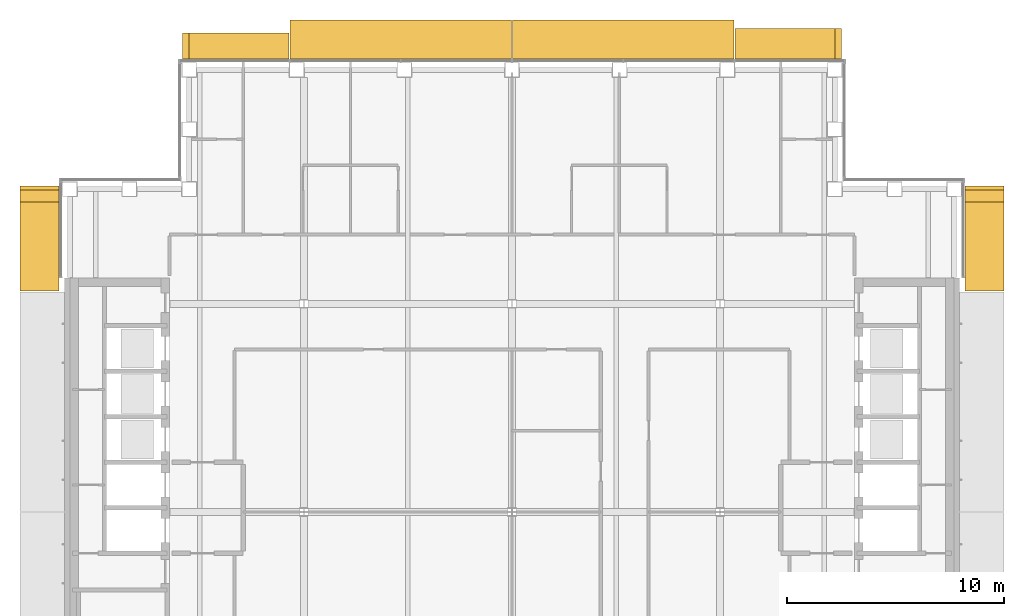
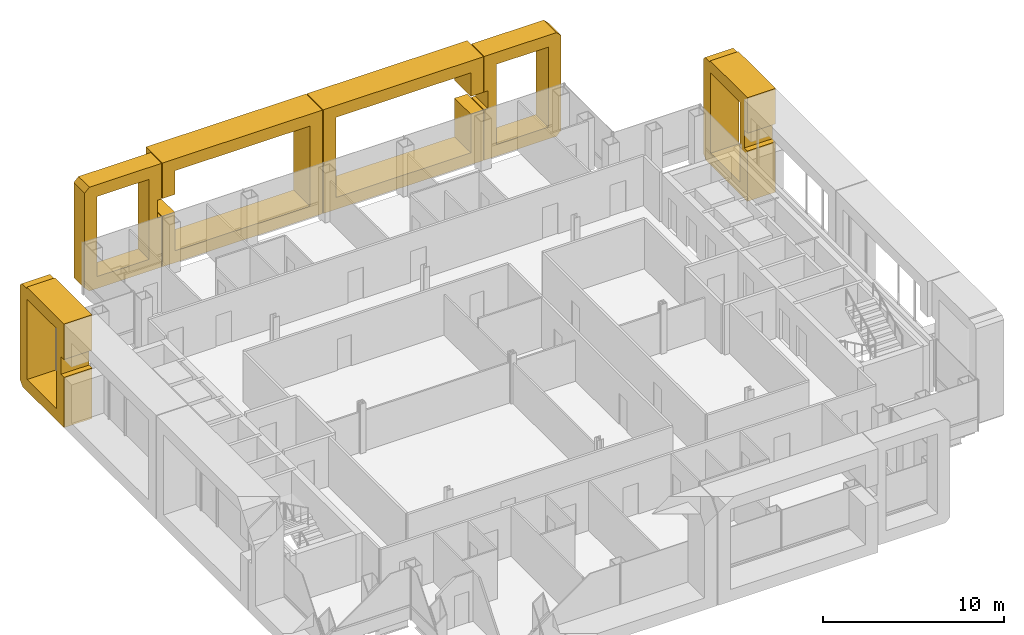
# One storey, part 18 of 19: 6 coverings.
"""IFC4 building model written with IfcOpenShell, lengths in metres."""

from ifc_helpers import new_model, si_unit, direction, frame, origin, place, context, subcontext, project, spatial, polyline, outline, extrude, material, type_object, element, save


model = new_model("IFC4")

# Units and contexts
model_context = context("Model", 3, precision=1e-05, world=origin(), true_north=direction((0.0, 1.0)))
body_context = subcontext(model_context, "Body", "Model", "MODEL_VIEW")
ifc_project = project(units=[si_unit("LENGTHUNIT", "METRE"), si_unit("AREAUNIT", "SQUARE_METRE"), si_unit("VOLUMEUNIT", "CUBIC_METRE"), si_unit("PLANEANGLEUNIT", "RADIAN"), si_unit("MASSUNIT", "GRAM", prefix="KILO")], contexts=[model_context])

# Site, building, storey
site_placement = place(None, origin())
site = spatial("IfcSite", under=ifc_project, at=site_placement, CompositionType="ELEMENT")
building_placement = place(site_placement, origin())
building = spatial("IfcBuilding", under=site, at=building_placement, Name="Cobrizo Arcos Hotel Tower", CompositionType="ELEMENT")
storey_placement = place(building_placement, frame((0.0, 0.0, 205.0)))
storey = spatial("IfcBuildingStorey", under=building, at=storey_placement, Name="L53", CompositionType="ELEMENT", Elevation=205.0)

# Coverings
ifc_material = material(Name="Aluminium 6063-T6 anodised bronze", Category="aluminium")
covering_type_1 = type_object("IfcCoveringType", Name="FIN-F 1200", PredefinedType="CLADDING", material=ifc_material)
covering_1_placement = place(storey_placement, frame((-10.291748046875, 20.89990234375, 0.0), z_axis=(0.0, 1.0, 0.0), x_axis=(-1.0, 0.0, 0.0)))
element("IfcCovering", 1, at=covering_1_placement, inside=storey, type_object=covering_type_1, Name="Fin frame 298", PredefinedType="CLADDING", context=body_context, shape_type="SweptSolid", body=[
    extrude(outline(polyline([(0.0, 7.0), (0.0, 4.60205078125), (0.24365234375, 4.60205078125), (0.24365234375, 3.39794921875), (0.0, 3.39794921875), (0.0, 0.0), (4.6083984375, 0.0), (4.908203125, 0.300048828125), (4.908203125, 6.699951171875), (4.6083984375, 7.0), (0.0, 7.0)]), holes=[polyline([(4.1083984375, 0.800048828125), (0.800048828125, 0.800048828125), (0.800048828125, 6.199951171875), (4.1083984375, 6.199951171875), (4.1083984375, 0.800048828125)])]), origin(), (0.0, 0.0, 1.0), 1.2001953125),
])
covering_type_2 = type_object("IfcCoveringType", Name="FIN-F 1400", PredefinedType="CLADDING", material=ifc_material)
covering_2_placement = place(storey_placement, frame((15.199951171875, 20.89990234375, 0.0), z_axis=(0.0, 1.0, 0.0), x_axis=(-1.0, 0.0, 0.0)))
element("IfcCovering", 2, at=covering_2_placement, inside=storey, type_object=covering_type_2, Name="Fin frame 295", PredefinedType="CLADDING", context=body_context, shape_type="SweptSolid", body=[
    extrude(outline(polyline([(4.908203125, 0.0), (4.908203125, 3.39794921875), (4.664794921875, 3.39794921875), (4.664794921875, 4.60205078125), (4.908203125, 4.60205078125), (4.908203125, 7.0), (0.300048828125, 7.0), (0.0, 6.699951171875), (0.0, 0.300048828125), (0.300048828125, 0.0), (4.908203125, 0.0)]), holes=[polyline([(4.1083984375, 0.800048828125), (0.800048828125, 0.800048828125), (0.800048828125, 6.199951171875), (4.1083984375, 6.199951171875), (4.1083984375, 0.800048828125)])]), origin(), (0.0, 0.0, 1.0), 1.400146484375),
])
covering_type_3 = type_object("IfcCoveringType", Name="FIN-F 1800", PredefinedType="CLADDING", material=ifc_material)
covering_3_placement = place(storey_placement, frame((10.24169921875, 20.89990234375, 0.0), z_axis=(0.0, 1.0, 0.0), x_axis=(-1.0, 0.0, 0.0)))
element("IfcCovering", 3, at=covering_3_placement, inside=storey, type_object=covering_type_3, Name="Fin frame 296", PredefinedType="CLADDING", context=body_context, shape_type="SweptSolid", body=[
    extrude(outline(polyline([(0.0, 7.0), (0.0, 4.60205078125), (0.800048828125, 4.60205078125), (0.800048828125, 6.199951171875), (9.416748046875, 6.199951171875), (9.416748046875, 0.800048828125), (0.800048828125, 0.800048828125), (0.800048828125, 3.39794921875), (0.0, 3.39794921875), (0.0, 0.0), (10.216796875, 0.0), (10.216796875, 7.0), (0.0, 7.0)])), origin(), (0.0, 0.0, 1.0), 1.800048828125),
])
covering_4_placement = place(storey_placement, frame((-0.02490234375, 20.89990234375, 0.0), z_axis=(0.0, 1.0, 0.0), x_axis=(-1.0, 0.0, 0.0)))
element("IfcCovering", 4, at=covering_4_placement, inside=storey, type_object=covering_type_3, Name="Fin frame 297", PredefinedType="CLADDING", context=body_context, shape_type="SweptSolid", body=[
    extrude(outline(polyline([(10.216796875, 0.0), (10.216796875, 3.39794921875), (9.416748046875, 3.39794921875), (9.416748046875, 0.800048828125), (0.800048828125, 0.800048828125), (0.800048828125, 6.199951171875), (9.416748046875, 6.199951171875), (9.416748046875, 4.60205078125), (10.216796875, 4.60205078125), (10.216796875, 7.0), (0.0, 7.0), (0.0, 0.0), (10.216796875, 0.0)])), origin(), (0.0, 0.0, 1.0), 1.800048828125),
])
covering_5_placement = place(storey_placement, frame((20.89990234375, 10.191650390625, 0.0), z_axis=(1.0, 0.0, 0.0), x_axis=(0.0, 1.0, 0.0)))
element("IfcCovering", 5, at=covering_5_placement, inside=storey, type_object=covering_type_3, Name="Fin frame 316", PredefinedType="CLADDING", context=body_context, shape_type="SweptSolid", body=[
    extrude(outline(polyline([(4.8583984375, 6.699951171875), (4.660400390625, 6.89794921875), (4.106201171875, 6.89794921875), (4.106201171875, 7.0), (0.0, 7.0), (0.0, 4.60205078125), (0.343505859375, 4.60205078125), (0.343505859375, 3.39794921875), (0.0, 3.39794921875), (0.0, 0.0), (4.558349609375, 0.0), (4.8583984375, 0.300048828125), (4.8583984375, 6.699951171875)]), holes=[polyline([(4.058349609375, 0.800048828125), (0.800048828125, 0.800048828125), (0.800048828125, 6.199951171875), (4.058349609375, 6.199951171875), (4.058349609375, 0.800048828125)])]), origin(), (0.0, 0.0, 1.0), 1.800048828125),
])
covering_6_placement = place(storey_placement, frame((-20.89990234375, 15.050048828125, 0.0), z_axis=(-1.0, 0.0, 0.0), x_axis=(0.0, -1.0, 0.0)))
element("IfcCovering", 6, at=covering_6_placement, inside=storey, type_object=covering_type_3, Name="Fin frame 349", PredefinedType="CLADDING", context=body_context, shape_type="SweptSolid", body=[
    extrude(outline(polyline([(4.8583984375, 0.0), (4.8583984375, 3.39794921875), (4.5146484375, 3.39794921875), (4.5146484375, 4.60205078125), (4.8583984375, 4.60205078125), (4.8583984375, 7.0), (0.751953125, 7.0), (0.751953125, 6.89794921875), (0.197998046875, 6.89794921875), (0.0, 6.699951171875), (0.0, 0.300048828125), (0.300048828125, 0.0), (4.8583984375, 0.0)]), holes=[polyline([(4.058349609375, 0.800048828125), (0.800048828125, 0.800048828125), (0.800048828125, 6.199951171875), (4.058349609375, 6.199951171875), (4.058349609375, 0.800048828125)])]), origin(), (0.0, 0.0, 1.0), 1.800048828125),
])

save(model, "model.ifc")
